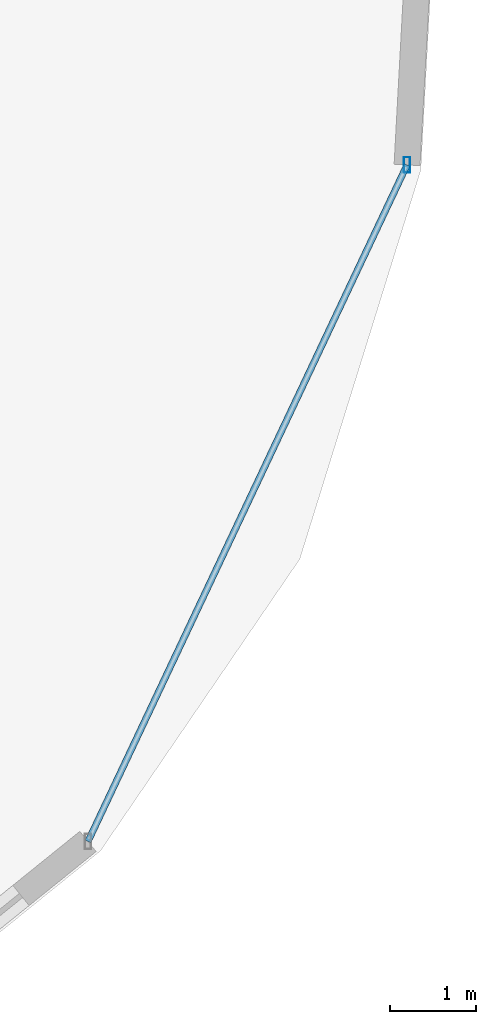
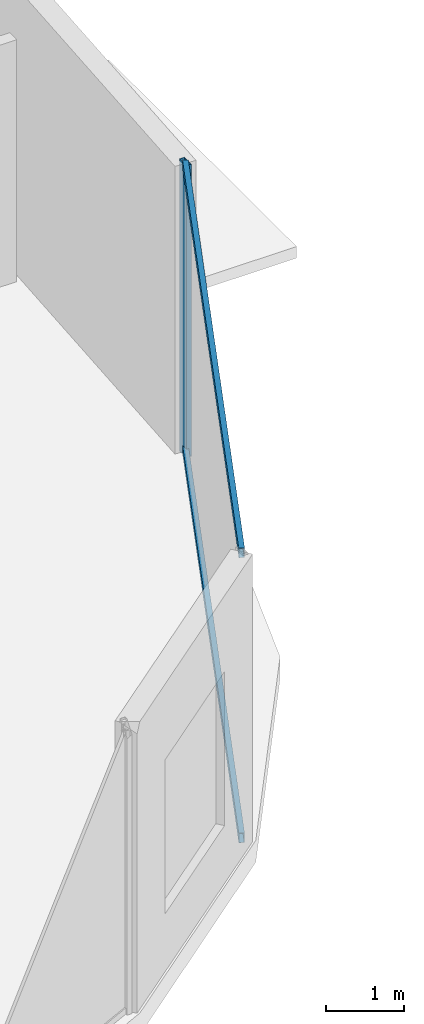
# One storey, part 23 of 36: 3 members, 1 element without a shape of its own.
"""IFC4 building model written with IfcOpenShell, lengths in metres."""

from ifc_helpers import new_model, si_unit, direction, frame, origin, origin_2d, place, context, subcontext, project, spatial, hollow_rectangle, extrude, material, material_profile, profile_set, type_object, element, aggregate, save


model = new_model("IFC4")

# Units and contexts
model_context = context("Model", 3, precision=1e-05, world=origin(), true_north=direction((0.0, 1.0)))
body_context = subcontext(model_context, "Body", "Model", "MODEL_VIEW")
ifc_project = project(units=[si_unit("LENGTHUNIT", "METRE"), si_unit("AREAUNIT", "SQUARE_METRE"), si_unit("VOLUMEUNIT", "CUBIC_METRE"), si_unit("PLANEANGLEUNIT", "RADIAN"), si_unit("MASSUNIT", "GRAM", prefix="KILO")], contexts=[model_context])

# Site, building, storey
site_placement = place(None, origin())
site = spatial("IfcSite", under=ifc_project, at=site_placement, CompositionType="ELEMENT")
building_placement = place(site_placement, origin())
building = spatial("IfcBuilding", under=site, at=building_placement, Name="Vorneva Point Tower", CompositionType="ELEMENT")
storey_placement = place(building_placement, origin())
storey = spatial("IfcBuildingStorey", under=building, at=storey_placement, Name="L00", CompositionType="ELEMENT", Elevation=0.0)

# Curtain wall, members
ifc_material = material(Name="Pale anodised aluminium", Category="aluminium")
curtain_wall_type = type_object("IfcCurtainWallType", Name="CW-POD-SYS", PredefinedType="NOTDEFINED", material=ifc_material)
curtain_wall_placement = place(storey_placement, origin())
curtain_wall = element("IfcCurtainWall", 1, at=curtain_wall_placement, inside=storey, type_object=curtain_wall_type, Name="L00 Unitised Curtain Wall CW-L00-R08", PredefinedType="NOTDEFINED")
ifc_material_profile_1 = material_profile(ifc_material, hollow_rectangle(XDim=0.074951171875, YDim=0.179931640625, WallThickness=0.00390625, at=origin_2d()), Name="AL-MUL 180x75x4")
ifc_profile_set_1 = profile_set([ifc_material_profile_1], Name="Pale anodised aluminium")
member_type_1 = type_object("IfcMemberType", Name="CW-MUL-180", PredefinedType="MULLION", material=ifc_profile_set_1)
member_1_placement = place(storey_placement, frame((73.097412109375, 17.369873046875, -0.0400390625), z_axis=(0.0, 0.0, 1.0), x_axis=(1.0, 0.0, 0.0)))
member_1 = element("IfcMember", 2, at=member_1_placement, type_object=member_type_1, Name="CW-L00-R08 Mullion 02", PredefinedType="MULLION", context=body_context, shape_type="SweptSolid", body=[
    extrude(hollow_rectangle(XDim=0.074951171875, YDim=0.179931640625, WallThickness=0.00390625, at=origin_2d()), origin(), (0.0, 0.0, 1.0), 4.550048828125),
])
ifc_material_profile_2 = material_profile(ifc_material, hollow_rectangle(XDim=0.074951171875, YDim=0.14990234375, WallThickness=0.00390625, at=origin_2d()), Name="AL-TRN 150x75x4")
ifc_profile_set_2 = profile_set([ifc_material_profile_2], Name="Pale anodised aluminium")
member_type_2 = type_object("IfcMemberType", Name="CW-TRN-150", PredefinedType="USERDEFINED", material=ifc_profile_set_2)
member_2_placement = place(storey_placement, frame((69.40185546875, 9.53369140625, 0.02001953125), z_axis=(0.426547348552, 0.904465233961, 0.0), x_axis=(-0.904465233961, 0.426547348552, 0.0)))
member_2 = element("IfcMember", 3, at=member_2_placement, type_object=member_type_2, Name="CW-L00-R08 Transom 01.1", ObjectType="TRANSOM", PredefinedType="USERDEFINED", context=body_context, shape_type="SweptSolid", body=[
    extrude(hollow_rectangle(XDim=0.074951171875, YDim=0.14990234375, WallThickness=0.00390625, at=origin_2d()), origin(), (0.0, 0.0, 1.0), 8.663818359375),
])
member_3_placement = place(storey_placement, frame((69.40185546875, 9.53369140625, 4.4599609375), z_axis=(0.426547348552, 0.904465233961, 0.0), x_axis=(-0.904465233961, 0.426547348552, 0.0)))
member_3 = element("IfcMember", 4, at=member_3_placement, type_object=member_type_2, Name="CW-L00-R08 Transom 01.2", ObjectType="TRANSOM", PredefinedType="USERDEFINED", context=body_context, shape_type="SweptSolid", body=[
    extrude(hollow_rectangle(XDim=0.074951171875, YDim=0.14990234375, WallThickness=0.00390625, at=origin_2d()), origin(), (0.0, 0.0, 1.0), 8.663818359375),
])
aggregate(curtain_wall, [member_1, member_2, member_3])

save(model, "model.ifc")
